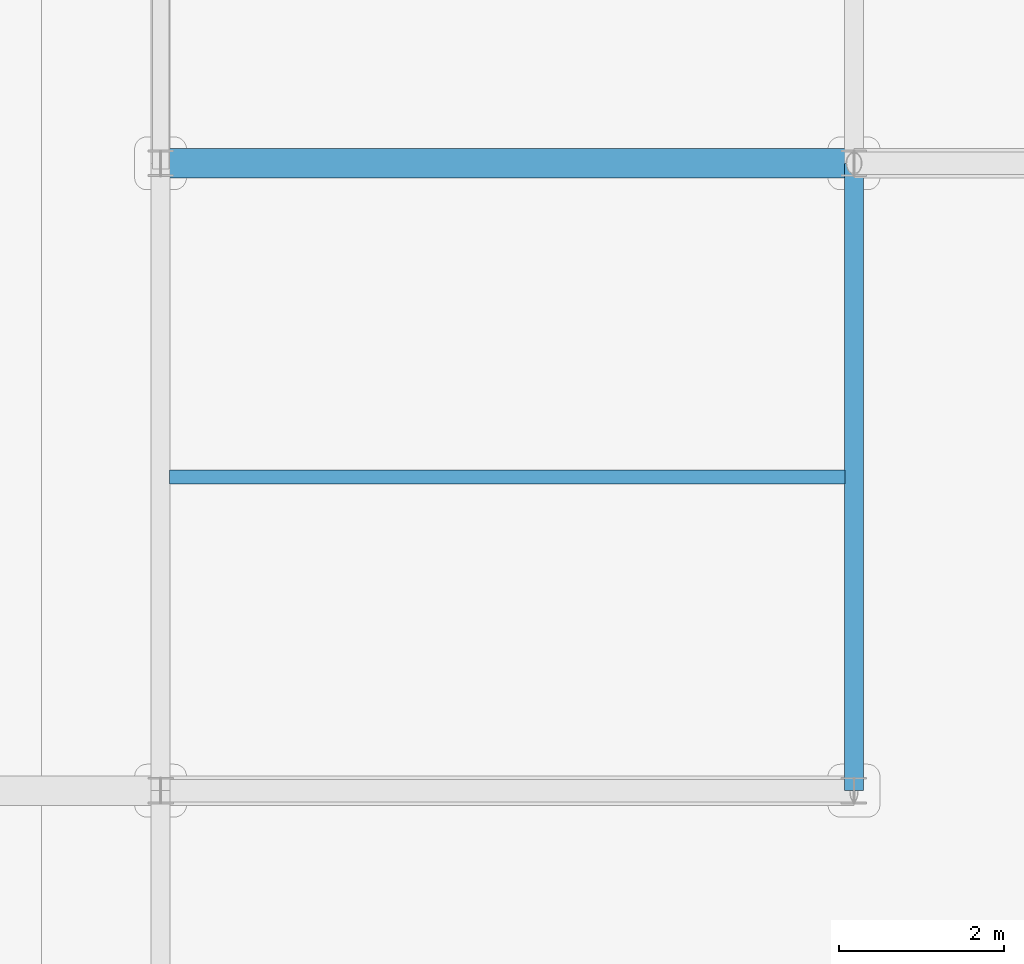
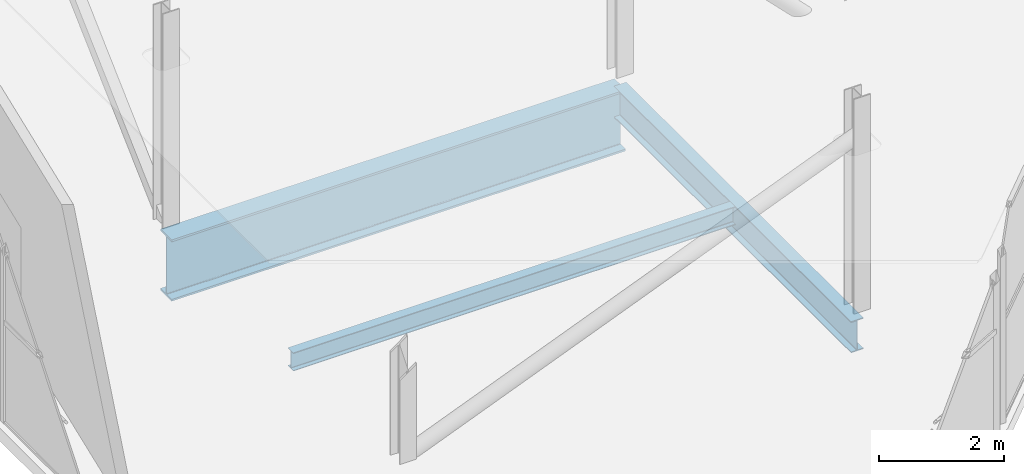
# One storey, part 94 of 151: 3 beams.
"""IFC4 building model written with IfcOpenShell, lengths in metres."""

from ifc_helpers import new_model, si_unit, direction, frame, origin, origin_2d, place, context, subcontext, project, spatial, i_section, extrude, material, material_profile, profile_set, type_object, element, save


model = new_model("IFC4")

# Units and contexts
model_context = context("Model", 3, precision=1e-05, world=origin(), true_north=direction((0.0, 1.0)))
body_context = subcontext(model_context, "Body", "Model", "MODEL_VIEW")
ifc_project = project(units=[si_unit("LENGTHUNIT", "METRE"), si_unit("AREAUNIT", "SQUARE_METRE"), si_unit("VOLUMEUNIT", "CUBIC_METRE"), si_unit("PLANEANGLEUNIT", "RADIAN"), si_unit("MASSUNIT", "GRAM", prefix="KILO")], contexts=[model_context])

# Site, building, storey
site_placement = place(None, origin())
site = spatial("IfcSite", under=ifc_project, at=site_placement, CompositionType="ELEMENT")
building_placement = place(site_placement, origin())
building = spatial("IfcBuilding", under=site, at=building_placement, Name="Zuvorla Pavilion Media Centre", CompositionType="ELEMENT")
storey_placement = place(building_placement, frame((0.0, 0.0, 13.800048828125)))
storey = spatial("IfcBuildingStorey", under=building, at=storey_placement, Name="L03", CompositionType="ELEMENT", Elevation=13.800048828125)

# Beams
ifc_material = material(Name="Steel S355", Category="steel")
ifc_material_profile_1 = material_profile(ifc_material, i_section(OverallWidth=0.360107421875, OverallDepth=1.199951171875, WebThickness=0.02001953125, FlangeThickness=0.0380859375, FilletRadius=0.02392578125, at=origin_2d()), Name="PG 1200x360x38")
ifc_profile_set_1 = profile_set([ifc_material_profile_1], Name="Steel S355")
beam_type_1 = type_object("IfcBeamType", Name="BM-PG1200", PredefinedType="BEAM", material=ifc_profile_set_1)
beam_1_placement = place(storey_placement, frame((159.199951171875, 59.199951171875, -0.858154296875), z_axis=(1.0, 0.0, 0.0), x_axis=(0.0, 1.0, 0.0)))
element("IfcBeam", 1, at=beam_1_placement, inside=storey, type_object=beam_type_1, Name="L03 beam B01 1698", PredefinedType="BEAM", context=body_context, shape_type="SweptSolid", body=[
    extrude(i_section(OverallWidth=0.360107421875, OverallDepth=1.199951171875, WebThickness=0.02001953125, FlangeThickness=0.0380859375, FilletRadius=0.02392578125, at=origin_2d()), origin(), (0.0, 0.0, 1.0), 8.400146484375),
])
ifc_material_profile_2 = material_profile(ifc_material, i_section(OverallWidth=0.172119140625, OverallDepth=0.35791015625, WebThickness=0.008056640625, FlangeThickness=0.012939453125, FilletRadius=0.01025390625, at=origin_2d()), Name="UB 356x171x57")
ifc_profile_set_2 = profile_set([ifc_material_profile_2], Name="Steel S355")
beam_type_2 = type_object("IfcBeamType", Name="BM-UB356", PredefinedType="JOIST", material=ifc_profile_set_2)
beam_2_placement = place(storey_placement, frame((159.3095703125, 55.39990234375, -0.43701171875), z_axis=(1.0, 0.0, 0.0), x_axis=(0.0, 1.0, 0.0)))
element("IfcBeam", 2, at=beam_2_placement, inside=storey, type_object=beam_type_2, Name="L03 joist J03 1289", PredefinedType="JOIST", context=body_context, shape_type="SweptSolid", body=[
    extrude(i_section(OverallWidth=0.172119140625, OverallDepth=0.35791015625, WebThickness=0.008056640625, FlangeThickness=0.012939453125, FilletRadius=0.01025390625, at=origin_2d()), origin(), (0.0, 0.0, 1.0), 8.180908203125),
])
ifc_material_profile_3 = material_profile(ifc_material, i_section(OverallWidth=0.22900390625, OverallDepth=0.6123046875, WebThickness=0.011962890625, FlangeThickness=0.01953125, FilletRadius=0.0126953125, at=origin_2d()), Name="UB 610x229x125")
ifc_profile_set_3 = profile_set([ifc_material_profile_3], Name="Steel S355")
beam_type_3 = type_object("IfcBeamType", Name="BM-UB610", PredefinedType="BEAM", material=ifc_profile_set_3)
beam_3_placement = place(storey_placement, frame((167.60009765625, 51.60009765625, -0.564208984375), z_axis=(0.0, 1.0, 0.0), x_axis=(-1.0, 0.0, 0.0)))
element("IfcBeam", 3, at=beam_3_placement, inside=storey, type_object=beam_type_3, Name="L03 beam B07 1228", PredefinedType="BEAM", context=body_context, shape_type="SweptSolid", body=[
    extrude(i_section(OverallWidth=0.22900390625, OverallDepth=0.6123046875, WebThickness=0.011962890625, FlangeThickness=0.01953125, FilletRadius=0.0126953125, at=origin_2d()), origin(), (0.0, 0.0, 1.0), 7.599853515625),
])

save(model, "model.ifc")
